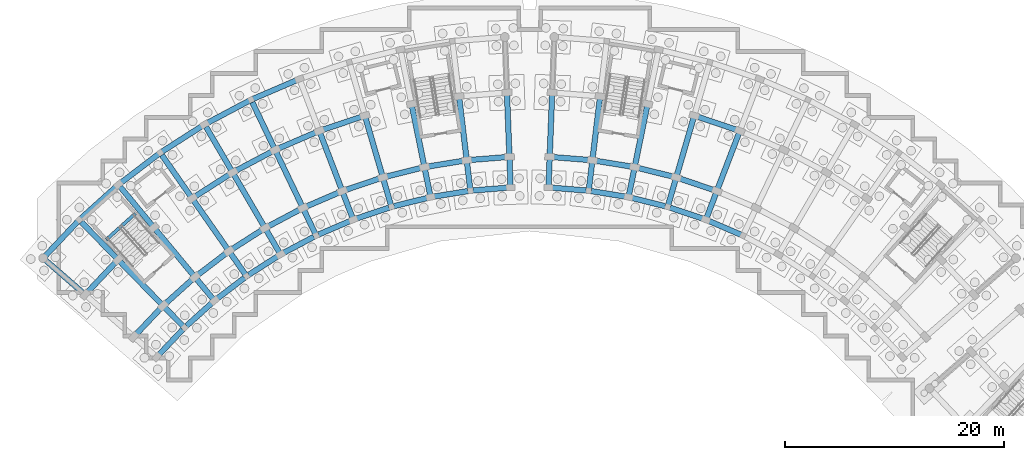
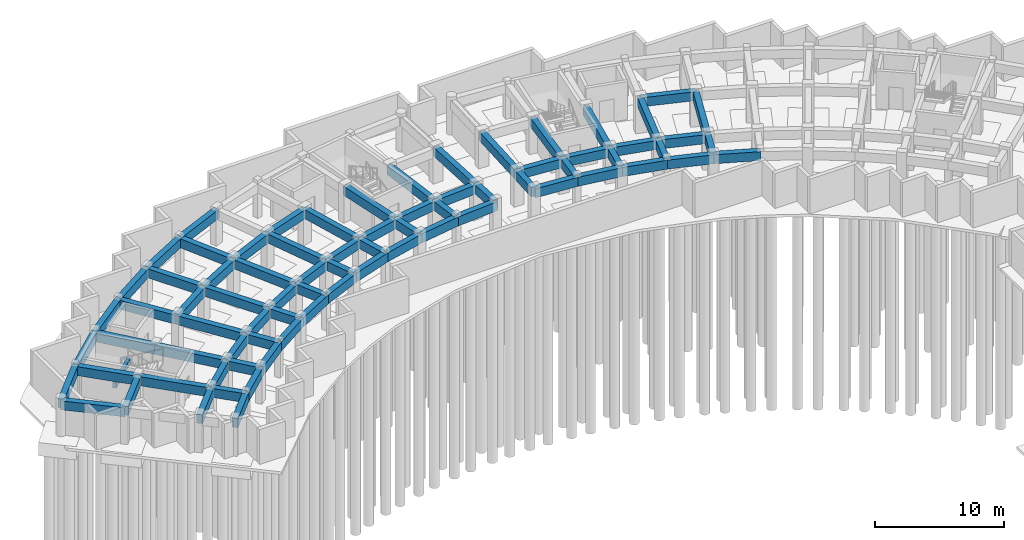
# One storey, part 12 of 32: 78 beams.
"""IFC4 building model written with IfcOpenShell, lengths in metres."""

import ifcopenshell
import ifcopenshell.guid

model = None  # the IFC model being written
_history = None  # IfcOwnerHistory: only IFC2X3 demands one
_inside = {}  # id of a spatial element -> (the spatial element, [elements in it])
_under = {}  # id of a project, library or spatial element -> (it, [spatial elements below it])
_declared = {}  # id of a project -> (the project, [libraries it declares])
_typed = {}  # id of a type object -> (the type object, [elements of that type])
_made_of = {}  # id of a material, layer set ... -> (it, [elements and type objects made of it])


def new_model(schema):
    """Start an empty IFC model of exactly this schema.

    Asked for "IFC4X3", IfcOpenShell would pick the latest addendum, in which some entities
    have other attributes; the version numbers below select the first issue.
    IFC2X3 requires an IfcOwnerHistory on every rooted entity: one is made here for all.
    """
    global model, _history
    if schema == "IFC4X3":
        model = ifcopenshell.file(schema_version=(4, 3, 0, 0))
    else:
        model = ifcopenshell.file(schema=schema)
    _inside.clear()
    _under.clear()
    _declared.clear()
    _typed.clear()
    _made_of.clear()
    _history = None
    if model.schema == "IFC2X3":
        org = make("IfcOrganization", Name="unknown")
        user = make(
            "IfcPersonAndOrganization",
            ThePerson=make("IfcPerson", FamilyName="unknown"),
            TheOrganization=org,
        )
        app = make(
            "IfcApplication",
            ApplicationDeveloper=org,
            Version="unknown",
            ApplicationFullName="unknown",
            ApplicationIdentifier="unknown",
        )
        _history = make(
            "IfcOwnerHistory",
            OwningUser=user,
            OwningApplication=app,
            ChangeAction="ADDED",
            CreationDate=0,
        )
    return model


def make(cls, **values):
    """One entity of the class cls with the attributes given. An attribute that is None is left unset."""
    return model.create_entity(
        cls, **{name: value for name, value in values.items() if value is not None}
    )


def rooted(cls, **values):
    """An entity with a GlobalId (a new one), such as an element, a storey or a relation."""
    return make(cls, GlobalId=ifcopenshell.guid.new(), OwnerHistory=_history, **values)


def si_unit(unit_type, name, prefix=None):
    """IfcSIUnit, for example si_unit("LENGTHUNIT", "METRE", prefix="MILLI")."""
    return make("IfcSIUnit", UnitType=unit_type, Prefix=prefix, Name=name)


def assignment(units):
    """IfcUnitAssignment: the units of a project."""
    return None if units is None else make("IfcUnitAssignment", Units=units)


def point(xyz):
    """IfcCartesianPoint."""
    return None if xyz is None else make("IfcCartesianPoint", Coordinates=xyz)


def direction(xyz):
    """IfcDirection."""
    return None if xyz is None else make("IfcDirection", DirectionRatios=xyz)


def frame(location, z_axis=None, x_axis=None):
    """IfcAxis2Placement3D, a coordinate frame: its origin and axes. An axis left out is left unset."""
    return make(
        "IfcAxis2Placement3D",
        Location=point(location),
        Axis=direction(z_axis),
        RefDirection=direction(x_axis),
    )


def frame_2d(location, x_axis=None):
    """IfcAxis2Placement2D, a coordinate frame in the plane: its origin and x axis."""
    return make(
        "IfcAxis2Placement2D", Location=point(location), RefDirection=direction(x_axis)
    )


def origin():
    """The frame at (0, 0, 0) with its axes left unset."""
    return frame((0.0, 0.0, 0.0))


def origin_2d():
    """The frame at (0, 0) in the plane with its x axis left unset."""
    return frame_2d((0.0, 0.0))


def place(relative_to, where):
    """IfcLocalPlacement: puts the frame where relative to a parent placement (None: the world)."""
    return make(
        "IfcLocalPlacement", PlacementRelTo=relative_to, RelativePlacement=where
    )


def context(
    kind, dimensions, precision=None, world=None, true_north=None, identifier=None
):
    """IfcGeometricRepresentationContext, for example the 3D "Model" context."""
    return make(
        "IfcGeometricRepresentationContext",
        ContextIdentifier=identifier,
        ContextType=kind,
        CoordinateSpaceDimension=dimensions,
        Precision=precision,
        WorldCoordinateSystem=world,
        TrueNorth=true_north,
    )


def subcontext(parent, identifier, kind, view, scale=None):
    """IfcGeometricRepresentationSubContext, for example "Body" below "Model"."""
    return make(
        "IfcGeometricRepresentationSubContext",
        ContextIdentifier=identifier,
        ContextType=kind,
        ParentContext=parent,
        TargetScale=scale,
        TargetView=view,
    )


def project(units=None, contexts=None):
    """IfcProject with its units and contexts."""
    return rooted(
        "IfcProject",
        Name="project",
        RepresentationContexts=contexts,
        UnitsInContext=assignment(units),
    )


def spatial(cls, under=None, at=None, **own):
    """A site, building, storey or space (cls), placed at a placement, below another one or the project."""
    s = rooted(cls, ObjectPlacement=at, **own)
    if under is not None:
        _under.setdefault(under.id(), (under, []))[1].append(s)
    return s


def profile(cls, at=None, kind="AREA", **sizes):
    """A parametric profile (cls). Its sizes go by their IFC names, for example OverallWidth=200.0."""
    return make(cls, ProfileType=kind, Position=at, **sizes)


def rectangle(**sizes):
    """IfcRectangleProfileDef."""
    return profile("IfcRectangleProfileDef", **sizes)


def extrude(swept, where, along, depth):
    """IfcExtrudedAreaSolid: the profile swept, set in the frame where, extruded along a direction by depth."""
    return make(
        "IfcExtrudedAreaSolid",
        SweptArea=swept,
        Position=where,
        ExtrudedDirection=direction(along),
        Depth=depth,
    )


def shape(context_of_items, identifier, shape_type, items):
    """IfcShapeRepresentation: the items that make up one representation, for example the "Body"."""
    return make(
        "IfcShapeRepresentation",
        ContextOfItems=context_of_items,
        RepresentationIdentifier=identifier,
        RepresentationType=shape_type,
        Items=items,
    )


def material(Name=None, Category=None):
    """IfcMaterial."""
    return make("IfcMaterial", Name=Name, Category=Category)


def material_profile(
    of_material, cross_section, Name=None, Category=None, Priority=None
):
    """IfcMaterialProfile: a cross section and its material."""
    return make(
        "IfcMaterialProfile",
        Name=Name,
        Material=of_material,
        Profile=cross_section,
        Priority=Priority,
        Category=Category,
    )


def profile_set(profiles, Name=None, composite=None):
    """IfcMaterialProfileSet."""
    return make(
        "IfcMaterialProfileSet",
        Name=Name,
        MaterialProfiles=profiles,
        CompositeProfile=composite,
    )


def made_of(thing, what):
    """Note that an element or type object is made of a material, layer set ...; save() writes the relation."""
    if what is not None:
        _made_of.setdefault(what.id(), (what, []))[1].append(thing)
    return thing


def type_object(cls, material=None, **own):
    """A type object (cls), such as IfcWallType, which elements share."""
    return made_of(rooted(cls, **own), material)


def element(
    cls,
    number,
    at=None,
    inside=None,
    cuts=None,
    type_object=None,
    material=None,
    context=None,
    identifier="Body",
    shape_type=None,
    held_by="IfcProductDefinitionShape",
    body=None,
    shapes=None,
    **own,
):
    """One element of the class cls, such as IfcWall. Its Tag is "e" and its number.

    at: its placement. inside: the storey or other place that contains it. cuts: it is an
    opening in that element (IfcRelVoidsElement). A single representation is given by context,
    identifier, shape_type and body (its items); several are given by shapes. held_by: the class
    of the entity that holds the representations. save() writes the other relations.
    """
    e = rooted(cls, Tag="e%d" % number, ObjectPlacement=at, **own)
    if body is not None:
        shapes = [shape(context, identifier, shape_type, body)]
    if shapes is not None:
        e.Representation = make(held_by, Representations=shapes)
    if inside is not None:
        _inside.setdefault(inside.id(), (inside, []))[1].append(e)
    if cuts is not None:
        rooted(
            "IfcRelVoidsElement", RelatingBuildingElement=cuts, RelatedOpeningElement=e
        )
    if type_object is not None:
        _typed.setdefault(type_object.id(), (type_object, []))[1].append(e)
    return made_of(e, material)


def aggregate(whole, parts):
    """IfcRelAggregates: a whole, such as a stair, and the parts it consists of."""
    return rooted("IfcRelAggregates", RelatingObject=whole, RelatedObjects=parts)


def save(model, path):
    """Write the relations noted so far, then the file.

    IfcRelAggregates (storeys below a building ...), IfcRelContainedInSpatialStructure (elements
    in a storey), IfcRelDefinesByType, IfcRelAssociatesMaterial and IfcRelDeclares: one each for
    every whole, place, type object, material and project.
    """
    for whole, parts in _under.values():
        aggregate(whole, parts)
    for where, things in _inside.values():
        rooted(
            "IfcRelContainedInSpatialStructure",
            RelatedElements=things,
            RelatingStructure=where,
        )
    for kind, things in _typed.values():
        rooted("IfcRelDefinesByType", RelatedObjects=things, RelatingType=kind)
    for what, things in _made_of.values():
        rooted("IfcRelAssociatesMaterial", RelatedObjects=things, RelatingMaterial=what)
    for by, libraries in _declared.values():
        rooted("IfcRelDeclares", RelatingContext=by, RelatedDefinitions=libraries)
    model.write(path)


model = new_model("IFC4")

# Units and contexts
model_context = context("Model", 3, precision=1e-05, world=origin(), true_north=direction((0.0, 1.0)))
body_context = subcontext(model_context, "Body", "Model", "MODEL_VIEW")
ifc_project = project(units=[si_unit("LENGTHUNIT", "METRE"), si_unit("AREAUNIT", "SQUARE_METRE"), si_unit("VOLUMEUNIT", "CUBIC_METRE"), si_unit("PLANEANGLEUNIT", "RADIAN"), si_unit("MASSUNIT", "GRAM", prefix="KILO")], contexts=[model_context])

# Site, building, storey
site_placement = place(None, origin())
site = spatial("IfcSite", under=ifc_project, at=site_placement, CompositionType="ELEMENT")
building_placement = place(site_placement, origin())
building = spatial("IfcBuilding", under=site, at=building_placement, Name="Zimvara Arc Housing Community", CompositionType="ELEMENT")
storey_placement = place(building_placement, frame((0.0, 0.0, -3.60009765625)))
storey = spatial("IfcBuildingStorey", under=building, at=storey_placement, Name="B1", CompositionType="ELEMENT", Elevation=-3.60009765625)

# Beams
ifc_material_1 = material(Name="Concrete C40/50", Category="concrete")
ifc_material_profile_1 = material_profile(ifc_material_1, rectangle(XDim=0.300048828125, YDim=0.5, at=origin_2d()), Name="RC 300x500")
ifc_profile_set_1 = profile_set([ifc_material_profile_1], Name="Concrete C40/50")
beam_type_1 = type_object("IfcBeamType", Name="BM-RC-300x500", PredefinedType="BEAM", material=ifc_profile_set_1)
beam_1_placement = place(storey_placement, frame((8.982421875, 87.1982421875, 1.550048828125), z_axis=(-0.743362151162, -0.668889162881, 0.0), x_axis=(0.668889162881, -0.743362151162, 0.0)))
element("IfcBeam", 1, at=beam_1_placement, inside=storey, type_object=beam_type_1, Name="bm:stair_trim:ST-A1:B1:mid", PredefinedType="BEAM", context=body_context, shape_type="SweptSolid", body=[
    extrude(rectangle(XDim=0.300048828125, YDim=0.5, at=origin_2d()), origin(), (0.0, 0.0, 1.0), 3.570068359375),
])
ifc_material_2 = material(Name="Concrete C40/50", Category="concrete")
ifc_material_profile_2 = material_profile(ifc_material_2, rectangle(XDim=0.5, YDim=0.85009765625, at=origin_2d()), Name="RC 500x850")
ifc_profile_set_2 = profile_set([ifc_material_profile_2], Name="Concrete C40/50")
beam_type_2 = type_object("IfcBeamType", Name="BM-RC-500x850", PredefinedType="BEAM", material=ifc_profile_set_2)
beam_2_placement = place(storey_placement, frame((10.947509765625, 74.101318359375, 2.875), z_axis=(0.686335517678, 0.727285059088, 0.0), x_axis=(-0.727285059088, 0.686335517678, 0.0)))
element("IfcBeam", 2, at=beam_2_placement, inside=storey, type_object=beam_type_2, Name="bm:blkA:B1:chord:r0:b0", PredefinedType="BEAM", context=body_context, shape_type="SweptSolid", body=[
    extrude(rectangle(XDim=0.5, YDim=0.85009765625, at=origin_2d()), origin(), (0.0, 0.0, 1.0), 3.6845703125),
])
beam_3_placement = place(storey_placement, frame((13.476318359375, 76.781005859375, 2.875), z_axis=(0.743366631239, 0.668884183966, 0.0), x_axis=(-0.668884183966, 0.743366631239, 0.0)))
element("IfcBeam", 3, at=beam_3_placement, inside=storey, type_object=beam_type_2, Name="bm:blkA:B1:chord:r0:b1", PredefinedType="BEAM", context=body_context, shape_type="SweptSolid", body=[
    extrude(rectangle(XDim=0.5, YDim=0.85009765625, at=origin_2d()), origin(), (0.0, 0.0, 1.0), 3.684326171875),
])
beam_4_placement = place(storey_placement, frame((16.215087890625, 79.245361328125, 2.875), z_axis=(0.795453014049, 0.606015265847, 0.0), x_axis=(-0.606015265847, 0.795453014049, 0.0)))
element("IfcBeam", 4, at=beam_4_placement, inside=storey, type_object=beam_type_2, Name="bm:blkA:B1:chord:r0:b2", PredefinedType="BEAM", context=body_context, shape_type="SweptSolid", body=[
    extrude(rectangle(XDim=0.5, YDim=0.85009765625, at=origin_2d()), origin(), (0.0, 0.0, 1.0), 3.6845703125),
])
beam_5_placement = place(storey_placement, frame((19.14599609375, 81.478271484375, 2.875), z_axis=(0.842272604079, 0.539051816079, 0.0), x_axis=(-0.539051816079, 0.842272604079, 0.0)))
element("IfcBeam", 5, at=beam_5_placement, inside=storey, type_object=beam_type_2, Name="bm:blkA:B1:chord:r0:b3", PredefinedType="BEAM", context=body_context, shape_type="SweptSolid", body=[
    extrude(rectangle(XDim=0.5, YDim=0.85009765625, at=origin_2d()), origin(), (0.0, 0.0, 1.0), 3.684326171875),
])
beam_6_placement = place(storey_placement, frame((22.249267578125, 83.46435546875, 2.875), z_axis=(0.883449220086, 0.468526920815, 0.0), x_axis=(-0.468526920815, 0.883449220086, 0.0)))
element("IfcBeam", 6, at=beam_6_placement, inside=storey, type_object=beam_type_2, Name="bm:blkA:B1:chord:r0:b4", PredefinedType="BEAM", context=body_context, shape_type="SweptSolid", body=[
    extrude(rectangle(XDim=0.5, YDim=0.85009765625, at=origin_2d()), origin(), (0.0, 0.0, 1.0), 3.6845703125),
])
for number, where, z_axis, x_axis, name in (
    (7, (25.50439453125, 85.190673828125, 2.875), (0.918705736243, 0.394942742932, 0.0), (-0.394942742932, 0.918705736243, 0.0), "bm:blkA:B1:chord:r0:b5"),
    (8, (28.88916015625, 86.645751953125, 2.875), (0.94789181932, 0.31859237101, 0.0), (-0.31859237101, 0.94789181932, 0.0), "bm:blkA:B1:chord:r0:b6"),
):
    element("IfcBeam", number, at=place(storey_placement, frame(where, z_axis=z_axis, x_axis=x_axis)), inside=storey, type_object=beam_type_2, Name=name, PredefinedType="BEAM", context=body_context, shape_type="SweptSolid", body=[
        extrude(rectangle(XDim=0.5, YDim=0.85009765625, at=origin_2d()), origin(), (0.0, 0.0, 1.0), 3.684326171875),
    ])
beam_7_placement = place(storey_placement, frame((32.381591796875, 87.819580078125, 2.875), z_axis=(0.970708886215, 0.240258731837, 0.0), x_axis=(-0.240258731837, 0.970708886215, 0.0)))
element("IfcBeam", 9, at=beam_7_placement, inside=storey, type_object=beam_type_2, Name="bm:blkA:B1:chord:r0:b7", PredefinedType="BEAM", context=body_context, shape_type="SweptSolid", body=[
    extrude(rectangle(XDim=0.5, YDim=0.85009765625, at=origin_2d()), origin(), (0.0, 0.0, 1.0), 3.6845703125),
])
for number, where, z_axis, x_axis, name in (
    (10, (35.958251953125, 88.704833984375, 2.875), (0.987079996944, 0.160228211104, 0.0), (-0.160228211104, 0.987079996944, 0.0), "bm:blkA:B1:chord:r0:b8"),
    (11, (39.594970703125, 89.295166015625, 2.875), (0.996865226667, 0.079118391428, 0.0), (-0.079118391428, 0.996865226667, 0.0), "bm:blkA:B1:chord:r0:b9"),
):
    element("IfcBeam", number, at=place(storey_placement, frame(where, z_axis=z_axis, x_axis=x_axis)), inside=storey, type_object=beam_type_2, Name=name, PredefinedType="BEAM", context=body_context, shape_type="SweptSolid", body=[
        extrude(rectangle(XDim=0.5, YDim=0.85009765625, at=origin_2d()), origin(), (0.0, 0.0, 1.0), 3.684326171875),
    ])
beam_8_placement = place(storey_placement, frame((8.834228515625, 75.938232421875, 2.875), z_axis=(0.686315710793, 0.727303750243, 0.0), x_axis=(-0.727303750243, 0.686315710793, 0.0)))
element("IfcBeam", 12, at=beam_8_placement, inside=storey, type_object=beam_type_2, Name="bm:blkA:B1:chord:r1:b0", PredefinedType="BEAM", context=body_context, shape_type="SweptSolid", body=[
    extrude(rectangle(XDim=0.5, YDim=0.85009765625, at=origin_2d()), origin(), (0.0, 0.0, 1.0), 3.913330078125),
])
for number, where, z_axis, x_axis, name in (
    (13, (11.52001953125, 78.784423828125, 2.875), (0.743402719516, 0.668844074965, 0.0), (-0.668844074965, 0.743402719516, 0.0), "bm:blkA:B1:chord:r1:b1"),
    (14, (14.428955078125, 81.401611328125, 2.875), (0.795470387579, 0.605992460749, 0.0), (-0.605992460749, 0.795470387579, 0.0), "bm:blkA:B1:chord:r1:b2"),
):
    element("IfcBeam", number, at=place(storey_placement, frame(where, z_axis=z_axis, x_axis=x_axis)), inside=storey, type_object=beam_type_2, Name=name, PredefinedType="BEAM", context=body_context, shape_type="SweptSolid", body=[
        extrude(rectangle(XDim=0.5, YDim=0.85009765625, at=origin_2d()), origin(), (0.0, 0.0, 1.0), 3.9130859375),
    ])
beam_9_placement = place(storey_placement, frame((17.541748046875, 83.77294921875, 2.875), z_axis=(0.842253269878, 0.539082024724, 0.0), x_axis=(-0.539082024724, 0.842253269878, 0.0)))
element("IfcBeam", 15, at=beam_9_placement, inside=storey, type_object=beam_type_2, Name="bm:blkA:B1:chord:r1:b3", PredefinedType="BEAM", context=body_context, shape_type="SweptSolid", body=[
    extrude(rectangle(XDim=0.5, YDim=0.85009765625, at=origin_2d()), origin(), (0.0, 0.0, 1.0), 3.912841796875),
])
for number, where, z_axis, x_axis, name in (
    (16, (20.83740234375, 85.88232421875, 2.875), (0.883438625159, 0.468546897948, 0.0), (-0.468546897948, 0.883438625159, 0.0), "bm:blkA:B1:chord:r1:b4"),
    (17, (24.29443359375, 87.7158203125, 2.875), (0.91873144242, 0.394882940514, 0.0), (-0.394882940514, 0.91873144242, 0.0), "bm:blkA:B1:chord:r1:b5"),
    (18, (27.889404296875, 89.260986328125, 2.875), (0.947881689069, 0.31862250945, 0.0), (-0.31862250945, 0.947881689069, 0.0), "bm:blkA:B1:chord:r1:b6"),
    (19, (31.5986328125, 90.5078125, 2.875), (0.970708671682, 0.240259598602, 0.0), (-0.240259598602, 0.970708671682, 0.0), "bm:blkA:B1:chord:r1:b7"),
    (20, (35.397216796875, 91.447998046875, 2.875), (0.987081487371, 0.160219029111, 0.0), (-0.160219029111, 0.987081487371, 0.0), "bm:blkA:B1:chord:r1:b8"),
):
    element("IfcBeam", number, at=place(storey_placement, frame(where, z_axis=z_axis, x_axis=x_axis)), inside=storey, type_object=beam_type_2, Name=name, PredefinedType="BEAM", context=body_context, shape_type="SweptSolid", body=[
        extrude(rectangle(XDim=0.5, YDim=0.85009765625, at=origin_2d()), origin(), (0.0, 0.0, 1.0), 3.9130859375),
    ])
beam_10_placement = place(storey_placement, frame((39.259765625, 92.074951171875, 2.875), z_axis=(0.99686054795, 0.079177319606, 0.0), x_axis=(-0.079177319606, 0.99686054795, 0.0)))
element("IfcBeam", 21, at=beam_10_placement, inside=storey, type_object=beam_type_2, Name="bm:blkA:B1:chord:r1:b9", PredefinedType="BEAM", context=body_context, shape_type="SweptSolid", body=[
    extrude(rectangle(XDim=0.5, YDim=0.85009765625, at=origin_2d()), origin(), (0.0, 0.0, 1.0), 3.912841796875),
])
for number, where, z_axis, x_axis, name in (
    (22, (4.396728515625, 79.7958984375, 2.875), (0.686303637813, 0.727315142648, 0.0), (-0.727315142648, 0.686303637813, 0.0), "bm:blkA:B1:chord:r2:b0"),
    (23, (14.17236328125, 88.591796875, 2.875), (0.842242131326, 0.539099427025, 0.0), (-0.539099427025, 0.842242131326, 0.0), "bm:blkA:B1:chord:r2:b3"),
    (24, (17.87255859375, 90.960205078125, 2.875), (0.883456526058, 0.468513144496, 0.0), (-0.468513144496, 0.883456526058, 0.0), "bm:blkA:B1:chord:r2:b4"),
    (25, (21.75390625, 93.0185546875, 2.875), (0.918724840088, 0.394898301093, 0.0), (-0.394898301093, 0.918724840088, 0.0), "bm:blkA:B1:chord:r2:b5"),
):
    element("IfcBeam", number, at=place(storey_placement, frame(where, z_axis=z_axis, x_axis=x_axis)), inside=storey, type_object=beam_type_2, Name=name, PredefinedType="BEAM", context=body_context, shape_type="SweptSolid", body=[
        extrude(rectangle(XDim=0.5, YDim=0.85009765625, at=origin_2d()), origin(), (0.0, 0.0, 1.0), 4.393310546875),
    ])
beam_11_placement = place(storey_placement, frame((25.7900390625, 94.75341796875, 2.875), z_axis=(0.947868796036, 0.318660862832, 0.0), x_axis=(-0.318660862832, 0.947868796036, 0.0)))
element("IfcBeam", 26, at=beam_11_placement, inside=storey, type_object=beam_type_2, Name="bm:blkA:B1:chord:r2:b6", PredefinedType="BEAM", context=body_context, shape_type="SweptSolid", body=[
    extrude(rectangle(XDim=0.5, YDim=0.85009765625, at=origin_2d()), origin(), (0.0, 0.0, 1.0), 4.39306640625),
])
beam_12_placement = place(storey_placement, frame((0.562744140625, 83.128662109375, 2.875), z_axis=(0.6862954451, 0.727322873307, 0.0), x_axis=(-0.727322873307, 0.6862954451, 0.0)))
element("IfcBeam", 27, at=beam_12_placement, inside=storey, type_object=beam_type_2, Name="bm:blkA:B1:chord:r3:b0", PredefinedType="BEAM", context=body_context, shape_type="SweptSolid", body=[
    extrude(rectangle(XDim=0.5, YDim=0.85009765625, at=origin_2d()), origin(), (0.0, 0.0, 1.0), 4.80810546875),
])
beam_13_placement = place(storey_placement, frame((3.862548828125, 86.625732421875, 2.875), z_axis=(0.743395133402, 0.668852506637, 0.0), x_axis=(-0.668852506637, 0.743395133402, 0.0)))
element("IfcBeam", 28, at=beam_13_placement, inside=storey, type_object=beam_type_2, Name="bm:blkA:B1:chord:r3:b1", PredefinedType="BEAM", context=body_context, shape_type="SweptSolid", body=[
    extrude(rectangle(XDim=0.5, YDim=0.85009765625, at=origin_2d()), origin(), (0.0, 0.0, 1.0), 4.807861328125),
])
beam_14_placement = place(storey_placement, frame((7.436767578125, 89.841552734375, 2.875), z_axis=(0.795480673672, 0.605978958228, 0.0), x_axis=(-0.605978958228, 0.795480673672, 0.0)))
element("IfcBeam", 29, at=beam_14_placement, inside=storey, type_object=beam_type_2, Name="bm:blkA:B1:chord:r3:b2", PredefinedType="BEAM", context=body_context, shape_type="SweptSolid", body=[
    extrude(rectangle(XDim=0.5, YDim=0.85009765625, at=origin_2d()), origin(), (0.0, 0.0, 1.0), 4.80810546875),
])
beam_15_placement = place(storey_placement, frame((11.261474609375, 92.755126953125, 2.875), z_axis=(0.842255724028, 0.539078190379, 0.0), x_axis=(-0.539078190379, 0.842255724028, 0.0)))
element("IfcBeam", 30, at=beam_15_placement, inside=storey, type_object=beam_type_2, Name="bm:blkA:B1:chord:r3:b3", PredefinedType="BEAM", context=body_context, shape_type="SweptSolid", body=[
    extrude(rectangle(XDim=0.5, YDim=0.85009765625, at=origin_2d()), origin(), (0.0, 0.0, 1.0), 4.808349609375),
])
beam_16_placement = place(storey_placement, frame((15.311279296875, 95.34716796875, 2.875), z_axis=(0.883445542299, 0.468533855546, 0.0), x_axis=(-0.468533855546, 0.883445542299, 0.0)))
element("IfcBeam", 31, at=beam_16_placement, inside=storey, type_object=beam_type_2, Name="bm:blkA:B1:chord:r3:b4", PredefinedType="BEAM", context=body_context, shape_type="SweptSolid", body=[
    extrude(rectangle(XDim=0.5, YDim=0.85009765625, at=origin_2d()), origin(), (0.0, 0.0, 1.0), 4.807861328125),
])
beam_17_placement = place(storey_placement, frame((19.558837890625, 97.599853515625, 2.875), z_axis=(0.918724276228, 0.394899612901, 0.0), x_axis=(-0.394899612901, 0.918724276228, 0.0)))
element("IfcBeam", 32, at=beam_17_placement, inside=storey, type_object=beam_type_2, Name="bm:blkA:B1:chord:r3:b5", PredefinedType="BEAM", context=body_context, shape_type="SweptSolid", body=[
    extrude(rectangle(XDim=0.5, YDim=0.85009765625, at=origin_2d()), origin(), (0.0, 0.0, 1.0), 4.80810546875),
])
beam_18_placement = place(storey_placement, frame((4.396728515625, 79.7958984375, 2.875), z_axis=(-0.754716217499, 0.656051393599, 0.0), x_axis=(-0.656051393599, -0.754716217499, 0.0)))
element("IfcBeam", 33, at=beam_18_placement, inside=storey, type_object=beam_type_2, Name="bm:blkA:B1:rad:b0:r23", PredefinedType="BEAM", context=body_context, shape_type="SweptSolid", body=[
    extrude(rectangle(XDim=0.5, YDim=0.85009765625, at=origin_2d()), origin(), (0.0, 0.0, 1.0), 5.080078125),
])
beam_19_placement = place(storey_placement, frame((13.476318359375, 76.781005859375, 2.875), z_axis=(-0.698643013894, 0.71547043205, 0.0), x_axis=(-0.71547043205, -0.698643013894, 0.0)))
element("IfcBeam", 34, at=beam_19_placement, inside=storey, type_object=beam_type_2, Name="bm:blkA:B1:rad:b1:r01", PredefinedType="BEAM", context=body_context, shape_type="SweptSolid", body=[
    extrude(rectangle(XDim=0.5, YDim=0.85009765625, at=origin_2d()), origin(), (0.0, 0.0, 1.0), 2.800048828125),
])
beam_20_placement = place(storey_placement, frame((11.52001953125, 78.784423828125, 2.875), z_axis=(-0.698669844288, 0.715444231707, 0.0), x_axis=(-0.715444231707, -0.698669844288, 0.0)))
element("IfcBeam", 35, at=beam_20_placement, inside=storey, type_object=beam_type_2, Name="bm:blkA:B1:rad:b1:r12", PredefinedType="BEAM", context=body_context, shape_type="SweptSolid", body=[
    extrude(rectangle(XDim=0.5, YDim=0.85009765625, at=origin_2d()), origin(), (0.0, 0.0, 1.0), 5.8798828125),
])
beam_21_placement = place(storey_placement, frame((7.411865234375, 82.9912109375, 2.875), z_axis=(-0.698670885014, 0.71544321538, 0.0), x_axis=(-0.71544321538, -0.698670885014, 0.0)))
element("IfcBeam", 36, at=beam_21_placement, inside=storey, type_object=beam_type_2, Name="bm:blkA:B1:rad:b1:r23", PredefinedType="BEAM", context=body_context, shape_type="SweptSolid", body=[
    extrude(rectangle(XDim=0.5, YDim=0.85009765625, at=origin_2d()), origin(), (0.0, 0.0, 1.0), 5.080078125),
])
beam_22_placement = place(storey_placement, frame((16.215087890625, 79.245361328125, 2.875), z_axis=(-0.637917412223, 0.770104781951, 0.0), x_axis=(-0.770104781951, -0.637917412223, 0.0)))
element("IfcBeam", 37, at=beam_22_placement, inside=storey, type_object=beam_type_2, Name="bm:blkA:B1:rad:b2:r01", PredefinedType="BEAM", context=body_context, shape_type="SweptSolid", body=[
    extrude(rectangle(XDim=0.5, YDim=0.85009765625, at=origin_2d()), origin(), (0.0, 0.0, 1.0), 2.800048828125),
])
beam_23_placement = place(storey_placement, frame((14.428955078125, 81.401611328125, 2.875), z_axis=(-0.637955964415, 0.770072845559, 0.0), x_axis=(-0.770072845559, -0.637955964415, 0.0)))
element("IfcBeam", 38, at=beam_23_placement, inside=storey, type_object=beam_type_2, Name="bm:blkA:B1:rad:b2:r12", PredefinedType="BEAM", context=body_context, shape_type="SweptSolid", body=[
    extrude(rectangle(XDim=0.5, YDim=0.85009765625, at=origin_2d()), origin(), (0.0, 0.0, 1.0), 5.880126953125),
])
beam_24_placement = place(storey_placement, frame((10.677734375, 85.9296875, 2.875), z_axis=(-0.637983669165, 0.77004989311, 0.0), x_axis=(-0.77004989311, -0.637983669165, 0.0)))
element("IfcBeam", 39, at=beam_24_placement, inside=storey, type_object=beam_type_2, Name="bm:blkA:B1:rad:b2:r23", PredefinedType="BEAM", context=body_context, shape_type="SweptSolid", body=[
    extrude(rectangle(XDim=0.5, YDim=0.85009765625, at=origin_2d()), origin(), (0.0, 0.0, 1.0), 5.080078125),
])
beam_25_placement = place(storey_placement, frame((19.14599609375, 81.478271484375, 2.875), z_axis=(-0.57297651105, 0.819571789281, 0.0), x_axis=(-0.819571789281, -0.57297651105, 0.0)))
element("IfcBeam", 40, at=beam_25_placement, inside=storey, type_object=beam_type_2, Name="bm:blkA:B1:rad:b3:r01", PredefinedType="BEAM", context=body_context, shape_type="SweptSolid", body=[
    extrude(rectangle(XDim=0.5, YDim=0.85009765625, at=origin_2d()), origin(), (0.0, 0.0, 1.0), 2.7998046875),
])
beam_26_placement = place(storey_placement, frame((17.541748046875, 83.77294921875, 2.875), z_axis=(-0.573027549978, 0.819536104736, 0.0), x_axis=(-0.819536104736, -0.573027549978, 0.0)))
element("IfcBeam", 41, at=beam_26_placement, inside=storey, type_object=beam_type_2, Name="bm:blkA:B1:rad:b3:r12", PredefinedType="BEAM", context=body_context, shape_type="SweptSolid", body=[
    extrude(rectangle(XDim=0.5, YDim=0.85009765625, at=origin_2d()), origin(), (0.0, 0.0, 1.0), 5.8798828125),
])
beam_27_placement = place(storey_placement, frame((14.17236328125, 88.591796875, 2.875), z_axis=(-0.573007469479, 0.819550144848, 0.0), x_axis=(-0.819550144848, -0.573007469479, 0.0)))
element("IfcBeam", 42, at=beam_27_placement, inside=storey, type_object=beam_type_2, Name="bm:blkA:B1:rad:b3:r23", PredefinedType="BEAM", context=body_context, shape_type="SweptSolid", body=[
    extrude(rectangle(XDim=0.5, YDim=0.85009765625, at=origin_2d()), origin(), (0.0, 0.0, 1.0), 5.080078125),
])
beam_28_placement = place(storey_placement, frame((22.249267578125, 83.46435546875, 2.875), z_axis=(-0.504239631668, 0.86356377521, 0.0), x_axis=(-0.86356377521, -0.504239631668, 0.0)))
element("IfcBeam", 43, at=beam_28_placement, inside=storey, type_object=beam_type_2, Name="bm:blkA:B1:rad:b4:r01", PredefinedType="BEAM", context=body_context, shape_type="SweptSolid", body=[
    extrude(rectangle(XDim=0.5, YDim=0.85009765625, at=origin_2d()), origin(), (0.0, 0.0, 1.0), 2.800048828125),
])
beam_29_placement = place(storey_placement, frame((20.83740234375, 85.88232421875, 2.875), z_axis=(-0.504219494781, 0.863575532934, 0.0), x_axis=(-0.863575532934, -0.504219494781, 0.0)))
element("IfcBeam", 44, at=beam_29_placement, inside=storey, type_object=beam_type_2, Name="bm:blkA:B1:rad:b4:r12", PredefinedType="BEAM", context=body_context, shape_type="SweptSolid", body=[
    extrude(rectangle(XDim=0.5, YDim=0.85009765625, at=origin_2d()), origin(), (0.0, 0.0, 1.0), 5.880126953125),
])
beam_30_placement = place(storey_placement, frame((17.87255859375, 90.960205078125, 2.875), z_axis=(-0.504196701544, 0.863588840915, 0.0), x_axis=(-0.863588840915, -0.504196701544, 0.0)))
element("IfcBeam", 45, at=beam_30_placement, inside=storey, type_object=beam_type_2, Name="bm:blkA:B1:rad:b4:r23", PredefinedType="BEAM", context=body_context, shape_type="SweptSolid", body=[
    extrude(rectangle(XDim=0.5, YDim=0.85009765625, at=origin_2d()), origin(), (0.0, 0.0, 1.0), 5.079833984375),
])
beam_31_placement = place(storey_placement, frame((25.50439453125, 85.190673828125, 2.875), z_axis=(-0.432118703138, 0.901816736593, 0.0), x_axis=(-0.901816736593, -0.432118703138, 0.0)))
element("IfcBeam", 46, at=beam_31_placement, inside=storey, type_object=beam_type_2, Name="bm:blkA:B1:rad:b5:r01", PredefinedType="BEAM", context=body_context, shape_type="SweptSolid", body=[
    extrude(rectangle(XDim=0.5, YDim=0.85009765625, at=origin_2d()), origin(), (0.0, 0.0, 1.0), 2.800048828125),
])
beam_32_placement = place(storey_placement, frame((24.29443359375, 87.7158203125, 2.875), z_axis=(-0.432069527705, 0.901840298073, 0.0), x_axis=(-0.901840298073, -0.432069527705, 0.0)))
element("IfcBeam", 47, at=beam_32_placement, inside=storey, type_object=beam_type_2, Name="bm:blkA:B1:rad:b5:r12", PredefinedType="BEAM", context=body_context, shape_type="SweptSolid", body=[
    extrude(rectangle(XDim=0.5, YDim=0.85009765625, at=origin_2d()), origin(), (0.0, 0.0, 1.0), 5.8798828125),
])
beam_33_placement = place(storey_placement, frame((21.75390625, 93.0185546875, 2.875), z_axis=(-0.432098194978, 0.901826563091, 0.0), x_axis=(-0.901826563091, -0.432098194978, 0.0)))
element("IfcBeam", 48, at=beam_33_placement, inside=storey, type_object=beam_type_2, Name="bm:blkA:B1:rad:b5:r23", PredefinedType="BEAM", context=body_context, shape_type="SweptSolid", body=[
    extrude(rectangle(XDim=0.5, YDim=0.85009765625, at=origin_2d()), origin(), (0.0, 0.0, 1.0), 5.080078125),
])
beam_34_placement = place(storey_placement, frame((28.88916015625, 86.645751953125, 2.875), z_axis=(-0.357079289134, 0.934074076972, 0.0), x_axis=(-0.934074076972, -0.357079289134, 0.0)))
element("IfcBeam", 49, at=beam_34_placement, inside=storey, type_object=beam_type_2, Name="bm:blkA:B1:rad:b6:r01", PredefinedType="BEAM", context=body_context, shape_type="SweptSolid", body=[
    extrude(rectangle(XDim=0.5, YDim=0.85009765625, at=origin_2d()), origin(), (0.0, 0.0, 1.0), 2.7998046875),
])
beam_35_placement = place(storey_placement, frame((27.889404296875, 89.260986328125, 2.875), z_axis=(-0.357036247742, 0.934090529766, 0.0), x_axis=(-0.934090529766, -0.357036247742, 0.0)))
element("IfcBeam", 50, at=beam_35_placement, inside=storey, type_object=beam_type_2, Name="bm:blkA:B1:rad:b6:r12", PredefinedType="BEAM", context=body_context, shape_type="SweptSolid", body=[
    extrude(rectangle(XDim=0.5, YDim=0.85009765625, at=origin_2d()), origin(), (0.0, 0.0, 1.0), 5.8798828125),
])
beam_36_placement = place(storey_placement, frame((32.381591796875, 87.819580078125, 2.875), z_axis=(-0.279635015525, 0.960106378529, 0.0), x_axis=(-0.960106378529, -0.279635015525, 0.0)))
element("IfcBeam", 51, at=beam_36_placement, inside=storey, type_object=beam_type_2, Name="bm:blkA:B1:rad:b7:r01", PredefinedType="BEAM", context=body_context, shape_type="SweptSolid", body=[
    extrude(rectangle(XDim=0.5, YDim=0.85009765625, at=origin_2d()), origin(), (0.0, 0.0, 1.0), 2.800048828125),
])
beam_37_placement = place(storey_placement, frame((31.5986328125, 90.5078125, 2.875), z_axis=(-0.27967473749, 0.960094808449, 0.0), x_axis=(-0.960094808449, -0.27967473749, 0.0)))
element("IfcBeam", 52, at=beam_37_placement, inside=storey, type_object=beam_type_2, Name="bm:blkA:B1:rad:b7:r12", PredefinedType="BEAM", context=body_context, shape_type="SweptSolid", body=[
    extrude(rectangle(XDim=0.5, YDim=0.85009765625, at=origin_2d()), origin(), (0.0, 0.0, 1.0), 5.880126953125),
])
beam_38_placement = place(storey_placement, frame((35.958251953125, 88.704833984375, 2.875), z_axis=(-0.20037341071, 0.979719600845, 0.0), x_axis=(-0.979719600845, -0.20037341071, 0.0)))
element("IfcBeam", 53, at=beam_38_placement, inside=storey, type_object=beam_type_2, Name="bm:blkA:B1:rad:b8:r01", PredefinedType="BEAM", context=body_context, shape_type="SweptSolid", body=[
    extrude(rectangle(XDim=0.5, YDim=0.85009765625, at=origin_2d()), origin(), (0.0, 0.0, 1.0), 2.800048828125),
])
beam_39_placement = place(storey_placement, frame((35.397216796875, 91.447998046875, 2.875), z_axis=(-0.200417973989, 0.979710485655, 0.0), x_axis=(-0.979710485655, -0.200417973989, 0.0)))
element("IfcBeam", 54, at=beam_39_placement, inside=storey, type_object=beam_type_2, Name="bm:blkA:B1:rad:b8:r12", PredefinedType="BEAM", context=body_context, shape_type="SweptSolid", body=[
    extrude(rectangle(XDim=0.5, YDim=0.85009765625, at=origin_2d()), origin(), (0.0, 0.0, 1.0), 5.880126953125),
])
beam_40_placement = place(storey_placement, frame((39.594970703125, 89.295166015625, 2.875), z_axis=(-0.119719398078, 0.992807768767, 0.0), x_axis=(-0.992807768767, -0.119719398078, 0.0)))
element("IfcBeam", 55, at=beam_40_placement, inside=storey, type_object=beam_type_2, Name="bm:blkA:B1:rad:b9:r01", PredefinedType="BEAM", context=body_context, shape_type="SweptSolid", body=[
    extrude(rectangle(XDim=0.5, YDim=0.85009765625, at=origin_2d()), origin(), (0.0, 0.0, 1.0), 2.7998046875),
])
beam_41_placement = place(storey_placement, frame((39.259765625, 92.074951171875, 2.875), z_axis=(-0.119827921695, 0.992794676246, 0.0), x_axis=(-0.992794676246, -0.119827921695, 0.0)))
element("IfcBeam", 56, at=beam_41_placement, inside=storey, type_object=beam_type_2, Name="bm:blkA:B1:rad:b9:r12", PredefinedType="BEAM", context=body_context, shape_type="SweptSolid", body=[
    extrude(rectangle(XDim=0.5, YDim=0.85009765625, at=origin_2d()), origin(), (0.0, 0.0, 1.0), 5.880126953125),
])
beam_42_placement = place(storey_placement, frame((43.267822265625, 89.586669921875, 2.875), z_axis=(-0.038362804793, 0.999263876665, 0.0), x_axis=(-0.999263876665, -0.038362804793, 0.0)))
element("IfcBeam", 57, at=beam_42_placement, inside=storey, type_object=beam_type_2, Name="bm:blkA:B1:rad:b10:r01", PredefinedType="BEAM", context=body_context, shape_type="SweptSolid", body=[
    extrude(rectangle(XDim=0.5, YDim=0.85009765625, at=origin_2d()), origin(), (0.0, 0.0, 1.0), 2.800048828125),
])
beam_43_placement = place(storey_placement, frame((43.160400390625, 92.384765625, 2.875), z_axis=(-0.038366147405, 0.999263748333, 0.0), x_axis=(-0.999263748333, -0.038366147405, 0.0)))
element("IfcBeam", 58, at=beam_43_placement, inside=storey, type_object=beam_type_2, Name="bm:blkA:B1:rad:b10:r12", PredefinedType="BEAM", context=body_context, shape_type="SweptSolid", body=[
    extrude(rectangle(XDim=0.5, YDim=0.85009765625, at=origin_2d()), origin(), (0.0, 0.0, 1.0), 5.8798828125),
])
for number, where, z_axis, x_axis, name in (
    (59, (46.732177734375, 89.586669921875, 2.875), (0.996865226667, -0.079118391428, 0.0), (0.079118391428, 0.996865226667, 0.0), "bm:blkB:B1:chord:r0:b0"),
    (60, (50.405029296875, 89.295166015625, 2.875), (0.987079996944, -0.160228211104, 0.0), (0.160228211104, 0.987079996944, 0.0), "bm:blkB:B1:chord:r0:b1"),
):
    element("IfcBeam", number, at=place(storey_placement, frame(where, z_axis=z_axis, x_axis=x_axis)), inside=storey, type_object=beam_type_2, Name=name, PredefinedType="BEAM", context=body_context, shape_type="SweptSolid", body=[
        extrude(rectangle(XDim=0.5, YDim=0.85009765625, at=origin_2d()), origin(), (0.0, 0.0, 1.0), 3.684326171875),
    ])
beam_44_placement = place(storey_placement, frame((54.041748046875, 88.704833984375, 2.875), z_axis=(0.970708886215, -0.240258731837, 0.0), x_axis=(0.240258731837, 0.970708886215, 0.0)))
element("IfcBeam", 61, at=beam_44_placement, inside=storey, type_object=beam_type_2, Name="bm:blkB:B1:chord:r0:b2", PredefinedType="BEAM", context=body_context, shape_type="SweptSolid", body=[
    extrude(rectangle(XDim=0.5, YDim=0.85009765625, at=origin_2d()), origin(), (0.0, 0.0, 1.0), 3.6845703125),
])
for number, where, z_axis, x_axis, name in (
    (62, (57.618408203125, 87.819580078125, 2.875), (0.94789181932, -0.31859237101, 0.0), (0.31859237101, 0.94789181932, 0.0), "bm:blkB:B1:chord:r0:b3"),
    (63, (61.11083984375, 86.645751953125, 2.875), (0.918705736243, -0.394942742932, 0.0), (0.394942742932, 0.918705736243, 0.0), "bm:blkB:B1:chord:r0:b4"),
):
    element("IfcBeam", number, at=place(storey_placement, frame(where, z_axis=z_axis, x_axis=x_axis)), inside=storey, type_object=beam_type_2, Name=name, PredefinedType="BEAM", context=body_context, shape_type="SweptSolid", body=[
        extrude(rectangle(XDim=0.5, YDim=0.85009765625, at=origin_2d()), origin(), (0.0, 0.0, 1.0), 3.684326171875),
    ])
beam_45_placement = place(storey_placement, frame((46.839599609375, 92.384765625, 2.875), z_axis=(0.99686054795, -0.079177319606, 0.0), x_axis=(0.079177319606, 0.99686054795, 0.0)))
element("IfcBeam", 64, at=beam_45_placement, inside=storey, type_object=beam_type_2, Name="bm:blkB:B1:chord:r1:b0", PredefinedType="BEAM", context=body_context, shape_type="SweptSolid", body=[
    extrude(rectangle(XDim=0.5, YDim=0.85009765625, at=origin_2d()), origin(), (0.0, 0.0, 1.0), 3.912841796875),
])
for number, where, z_axis, x_axis, name in (
    (65, (50.740234375, 92.074951171875, 2.875), (0.987081487371, -0.160219029111, 0.0), (0.160219029111, 0.987081487371, 0.0), "bm:blkB:B1:chord:r1:b1"),
    (66, (54.602783203125, 91.447998046875, 2.875), (0.970708671682, -0.240259598602, 0.0), (0.240259598602, 0.970708671682, 0.0), "bm:blkB:B1:chord:r1:b2"),
    (67, (58.4013671875, 90.5078125, 2.875), (0.947881689069, -0.31862250945, 0.0), (0.31862250945, 0.947881689069, 0.0), "bm:blkB:B1:chord:r1:b3"),
):
    element("IfcBeam", number, at=place(storey_placement, frame(where, z_axis=z_axis, x_axis=x_axis)), inside=storey, type_object=beam_type_2, Name=name, PredefinedType="BEAM", context=body_context, shape_type="SweptSolid", body=[
        extrude(rectangle(XDim=0.5, YDim=0.85009765625, at=origin_2d()), origin(), (0.0, 0.0, 1.0), 3.9130859375),
    ])
beam_46_placement = place(storey_placement, frame((60.0458984375, 96.1533203125, 2.875), z_axis=(0.947868796036, -0.318660862832, 0.0), x_axis=(0.318660862832, 0.947868796036, 0.0)))
element("IfcBeam", 68, at=beam_46_placement, inside=storey, type_object=beam_type_2, Name="bm:blkB:B1:chord:r2:b3", PredefinedType="BEAM", context=body_context, shape_type="SweptSolid", body=[
    extrude(rectangle(XDim=0.5, YDim=0.85009765625, at=origin_2d()), origin(), (0.0, 0.0, 1.0), 4.39306640625),
])
beam_47_placement = place(storey_placement, frame((46.732177734375, 89.586669921875, 2.875), z_axis=(0.038362804793, 0.999263876665, 0.0), x_axis=(-0.999263876665, 0.038362804793, 0.0)))
element("IfcBeam", 69, at=beam_47_placement, inside=storey, type_object=beam_type_2, Name="bm:blkB:B1:rad:b0:r01", PredefinedType="BEAM", context=body_context, shape_type="SweptSolid", body=[
    extrude(rectangle(XDim=0.5, YDim=0.85009765625, at=origin_2d()), origin(), (0.0, 0.0, 1.0), 2.800048828125),
])
beam_48_placement = place(storey_placement, frame((46.839599609375, 92.384765625, 2.875), z_axis=(0.038366147405, 0.999263748333, 0.0), x_axis=(-0.999263748333, 0.038366147405, 0.0)))
element("IfcBeam", 70, at=beam_48_placement, inside=storey, type_object=beam_type_2, Name="bm:blkB:B1:rad:b0:r12", PredefinedType="BEAM", context=body_context, shape_type="SweptSolid", body=[
    extrude(rectangle(XDim=0.5, YDim=0.85009765625, at=origin_2d()), origin(), (0.0, 0.0, 1.0), 5.8798828125),
])
beam_49_placement = place(storey_placement, frame((50.405029296875, 89.295166015625, 2.875), z_axis=(0.119719398078, 0.992807768767, 0.0), x_axis=(-0.992807768767, 0.119719398078, 0.0)))
element("IfcBeam", 71, at=beam_49_placement, inside=storey, type_object=beam_type_2, Name="bm:blkB:B1:rad:b1:r01", PredefinedType="BEAM", context=body_context, shape_type="SweptSolid", body=[
    extrude(rectangle(XDim=0.5, YDim=0.85009765625, at=origin_2d()), origin(), (0.0, 0.0, 1.0), 2.7998046875),
])
beam_50_placement = place(storey_placement, frame((50.740234375, 92.074951171875, 2.875), z_axis=(0.119827921695, 0.992794676246, 0.0), x_axis=(-0.992794676246, 0.119827921695, 0.0)))
element("IfcBeam", 72, at=beam_50_placement, inside=storey, type_object=beam_type_2, Name="bm:blkB:B1:rad:b1:r12", PredefinedType="BEAM", context=body_context, shape_type="SweptSolid", body=[
    extrude(rectangle(XDim=0.5, YDim=0.85009765625, at=origin_2d()), origin(), (0.0, 0.0, 1.0), 5.880126953125),
])
beam_51_placement = place(storey_placement, frame((54.041748046875, 88.704833984375, 2.875), z_axis=(0.20037341071, 0.979719600845, 0.0), x_axis=(-0.979719600845, 0.20037341071, 0.0)))
element("IfcBeam", 73, at=beam_51_placement, inside=storey, type_object=beam_type_2, Name="bm:blkB:B1:rad:b2:r01", PredefinedType="BEAM", context=body_context, shape_type="SweptSolid", body=[
    extrude(rectangle(XDim=0.5, YDim=0.85009765625, at=origin_2d()), origin(), (0.0, 0.0, 1.0), 2.800048828125),
])
beam_52_placement = place(storey_placement, frame((54.602783203125, 91.447998046875, 2.875), z_axis=(0.200417973989, 0.979710485655, 0.0), x_axis=(-0.979710485655, 0.200417973989, 0.0)))
element("IfcBeam", 74, at=beam_52_placement, inside=storey, type_object=beam_type_2, Name="bm:blkB:B1:rad:b2:r12", PredefinedType="BEAM", context=body_context, shape_type="SweptSolid", body=[
    extrude(rectangle(XDim=0.5, YDim=0.85009765625, at=origin_2d()), origin(), (0.0, 0.0, 1.0), 5.880126953125),
])
beam_53_placement = place(storey_placement, frame((57.618408203125, 87.819580078125, 2.875), z_axis=(0.279635015525, 0.960106378529, 0.0), x_axis=(-0.960106378529, 0.279635015525, 0.0)))
element("IfcBeam", 75, at=beam_53_placement, inside=storey, type_object=beam_type_2, Name="bm:blkB:B1:rad:b3:r01", PredefinedType="BEAM", context=body_context, shape_type="SweptSolid", body=[
    extrude(rectangle(XDim=0.5, YDim=0.85009765625, at=origin_2d()), origin(), (0.0, 0.0, 1.0), 2.800048828125),
])
beam_54_placement = place(storey_placement, frame((58.4013671875, 90.5078125, 2.875), z_axis=(0.27967473749, 0.960094808449, 0.0), x_axis=(-0.960094808449, 0.27967473749, 0.0)))
element("IfcBeam", 76, at=beam_54_placement, inside=storey, type_object=beam_type_2, Name="bm:blkB:B1:rad:b3:r12", PredefinedType="BEAM", context=body_context, shape_type="SweptSolid", body=[
    extrude(rectangle(XDim=0.5, YDim=0.85009765625, at=origin_2d()), origin(), (0.0, 0.0, 1.0), 5.880126953125),
])
beam_55_placement = place(storey_placement, frame((61.11083984375, 86.645751953125, 2.875), z_axis=(0.357079289134, 0.934074076972, 0.0), x_axis=(-0.934074076972, 0.357079289134, 0.0)))
element("IfcBeam", 77, at=beam_55_placement, inside=storey, type_object=beam_type_2, Name="bm:blkB:B1:rad:b4:r01", PredefinedType="BEAM", context=body_context, shape_type="SweptSolid", body=[
    extrude(rectangle(XDim=0.5, YDim=0.85009765625, at=origin_2d()), origin(), (0.0, 0.0, 1.0), 2.7998046875),
])
beam_56_placement = place(storey_placement, frame((62.110595703125, 89.260986328125, 2.875), z_axis=(0.357036247742, 0.934090529766, 0.0), x_axis=(-0.934090529766, 0.357036247742, 0.0)))
element("IfcBeam", 78, at=beam_56_placement, inside=storey, type_object=beam_type_2, Name="bm:blkB:B1:rad:b4:r12", PredefinedType="BEAM", context=body_context, shape_type="SweptSolid", body=[
    extrude(rectangle(XDim=0.5, YDim=0.85009765625, at=origin_2d()), origin(), (0.0, 0.0, 1.0), 5.8798828125),
])

save(model, "model.ifc")
